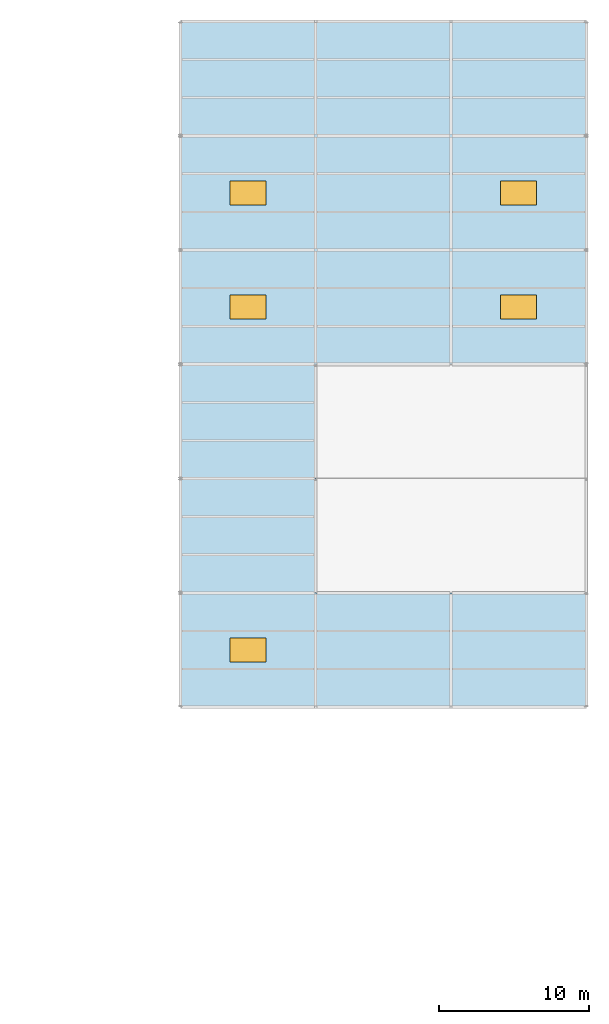
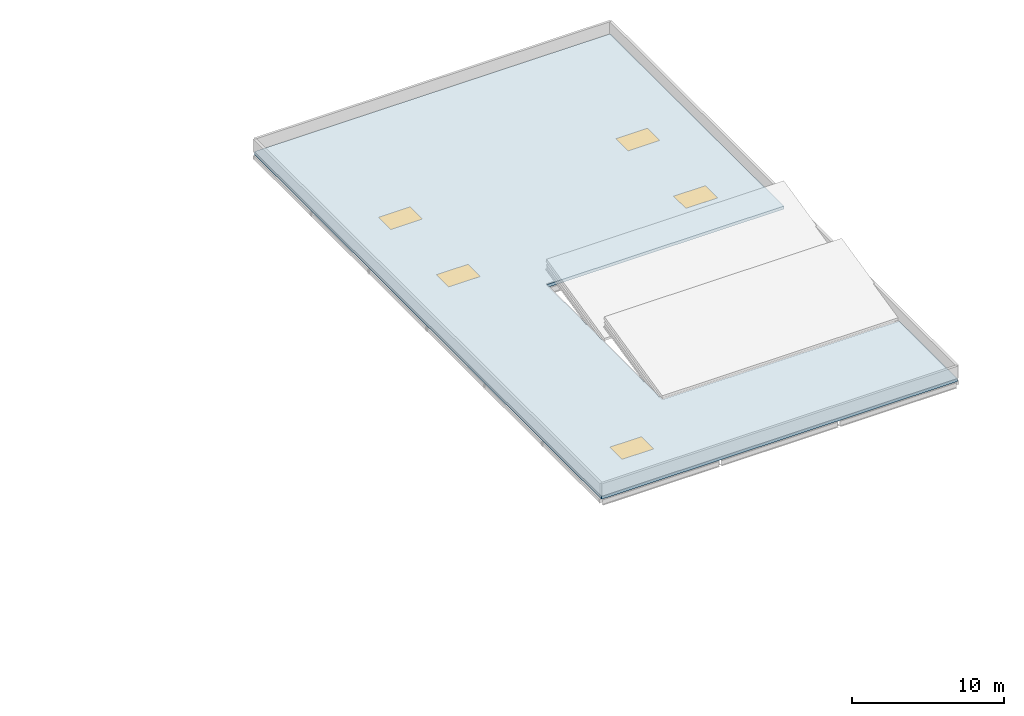
# One storey, part 14 of 24: 5 windows, 1 slab, 5 openings.
"""IFC4 building model written with IfcOpenShell, lengths in metres."""

from ifc_helpers import new_model, si_unit, direction, frame, origin, origin_2d, place, context, subcontext, project, spatial, polyline, rectangle, outline, extrude, material, layer, layer_set, type_object, element, fill, save


model = new_model("IFC4")

# Units and contexts
model_context = context("Model", 3, precision=1e-05, world=origin(), true_north=direction((0.0, 1.0)))
body_context = subcontext(model_context, "Body", "Model", "MODEL_VIEW")
ifc_project = project(units=[si_unit("LENGTHUNIT", "METRE"), si_unit("AREAUNIT", "SQUARE_METRE"), si_unit("VOLUMEUNIT", "CUBIC_METRE"), si_unit("PLANEANGLEUNIT", "RADIAN"), si_unit("MASSUNIT", "GRAM", prefix="KILO")], contexts=[model_context])

# Site, building, storey
site_placement = place(None, origin())
site = spatial("IfcSite", under=ifc_project, at=site_placement, CompositionType="ELEMENT")
building_placement = place(site_placement, origin())
building = spatial("IfcBuilding", under=site, at=building_placement, Name="Caisbarro Railhouse Central Library", CompositionType="ELEMENT")
storey_placement = place(building_placement, frame((0.0, 0.0, 22.320068359375)))
storey = spatial("IfcBuildingStorey", under=building, at=storey_placement, Name="L05", CompositionType="ELEMENT", Elevation=22.320068359375)

# Slab, openings, windows
ifc_material_1 = material(Name="Concrete C35", Category="concrete")
ifc_layer = layer(ifc_material_1, 0.239990234375, Name="Concrete C35")
ifc_layer_set = layer_set([ifc_layer], Name="Concrete C35")
slab_type = type_object("IfcSlabType", Name="SLB-RF24", PredefinedType="ROOF", material=ifc_layer_set)
slab_placement = place(storey_placement, frame((0.0, 0.0, -0.239990234375)))
slab = element("IfcSlab", 1, at=slab_placement, inside=storey, type_object=slab_type, Name="V4 Atrium Wing Perimeter Roof Slab", PredefinedType="ROOF", context=body_context, shape_type="SweptSolid", body=[
    extrude(outline(polyline([(117.0, 68.39990234375), (144.0, 68.39990234375), (144.0, 76.0), (126.0, 76.0), (126.0, 91.199951171875), (144.0, 91.199951171875), (144.0, 114.0), (117.0, 114.0), (117.0, 68.39990234375)])), origin(), (0.0, 0.0, 1.0), 0.239990234375),
])
opening_1_placement = place(slab_placement, frame((121.5, 72.199951171875, -0.010009765625)))
opening_1 = element("IfcOpeningElement", 2, at=opening_1_placement, cuts=slab, Name="Opening SK02", PredefinedType="OPENING", context=body_context, shape_type="SweptSolid", body=[
    extrude(rectangle(XDim=2.39990234375, YDim=1.60009765625, at=origin_2d()), origin(), (0.0, 0.0, 1.0), 0.260009765625),
])
opening_2_placement = place(slab_placement, frame((121.5, 95.0, -0.010009765625)))
opening_2 = element("IfcOpeningElement", 3, at=opening_2_placement, cuts=slab, Name="Opening SK02", PredefinedType="OPENING", context=body_context, shape_type="SweptSolid", body=[
    extrude(rectangle(XDim=2.39990234375, YDim=1.60009765625, at=origin_2d()), origin(), (0.0, 0.0, 1.0), 0.260009765625),
])
opening_3_placement = place(slab_placement, frame((121.5, 102.60009765625, -0.010009765625)))
opening_3 = element("IfcOpeningElement", 4, at=opening_3_placement, cuts=slab, Name="Opening SK02", PredefinedType="OPENING", context=body_context, shape_type="SweptSolid", body=[
    extrude(rectangle(XDim=2.39990234375, YDim=1.60009765625, at=origin_2d()), origin(), (0.0, 0.0, 1.0), 0.260009765625),
])
opening_4_placement = place(slab_placement, frame((139.5, 95.0, -0.010009765625)))
opening_4 = element("IfcOpeningElement", 5, at=opening_4_placement, cuts=slab, Name="Opening SK02", PredefinedType="OPENING", context=body_context, shape_type="SweptSolid", body=[
    extrude(rectangle(XDim=2.39990234375, YDim=1.60009765625, at=origin_2d()), origin(), (0.0, 0.0, 1.0), 0.260009765625),
])
opening_5_placement = place(slab_placement, frame((139.5, 102.60009765625, -0.010009765625)))
opening_5 = element("IfcOpeningElement", 6, at=opening_5_placement, cuts=slab, Name="Opening SK02", PredefinedType="OPENING", context=body_context, shape_type="SweptSolid", body=[
    extrude(rectangle(XDim=2.39990234375, YDim=1.60009765625, at=origin_2d()), origin(), (0.0, 0.0, 1.0), 0.260009765625),
])
ifc_material_2 = material(Name="Laminated acoustic skylight glass", Category="glass")
window_type = type_object("IfcWindowType", Name="WIN-SK02", PartitioningType="SINGLE_PANEL", PredefinedType="SKYLIGHT", material=ifc_material_2)
window_1_placement = place(slab_placement, frame((121.5, 72.199951171875, 0.18994140625)))
window_1 = element("IfcWindow", 7, at=window_1_placement, inside=storey, type_object=window_type, Name="SK02 roof skylight 05", OverallHeight=1.60009765625, OverallWidth=2.39990234375, PartitioningType="SINGLE_PANEL", PredefinedType="SKYLIGHT", context=body_context, shape_type="SweptSolid", body=[
    extrude(rectangle(XDim=2.39990234375, YDim=1.60009765625, at=origin_2d()), origin(), (0.0, 0.0, 1.0), 0.050048828125),
])
fill(opening_1, window_1)
window_2_placement = place(slab_placement, frame((121.5, 95.0, 0.18994140625)))
window_2 = element("IfcWindow", 8, at=window_2_placement, inside=storey, type_object=window_type, Name="SK02 roof skylight 06", OverallHeight=1.60009765625, OverallWidth=2.39990234375, PartitioningType="SINGLE_PANEL", PredefinedType="SKYLIGHT", context=body_context, shape_type="SweptSolid", body=[
    extrude(rectangle(XDim=2.39990234375, YDim=1.60009765625, at=origin_2d()), origin(), (0.0, 0.0, 1.0), 0.050048828125),
])
fill(opening_2, window_2)
window_3_placement = place(slab_placement, frame((121.5, 102.60009765625, 0.18994140625)))
window_3 = element("IfcWindow", 9, at=window_3_placement, inside=storey, type_object=window_type, Name="SK02 roof skylight 07", OverallHeight=1.60009765625, OverallWidth=2.39990234375, PartitioningType="SINGLE_PANEL", PredefinedType="SKYLIGHT", context=body_context, shape_type="SweptSolid", body=[
    extrude(rectangle(XDim=2.39990234375, YDim=1.60009765625, at=origin_2d()), origin(), (0.0, 0.0, 1.0), 0.050048828125),
])
fill(opening_3, window_3)
window_4_placement = place(slab_placement, frame((139.5, 95.0, 0.18994140625)))
window_4 = element("IfcWindow", 10, at=window_4_placement, inside=storey, type_object=window_type, Name="SK02 roof skylight 08", OverallHeight=1.60009765625, OverallWidth=2.39990234375, PartitioningType="SINGLE_PANEL", PredefinedType="SKYLIGHT", context=body_context, shape_type="SweptSolid", body=[
    extrude(rectangle(XDim=2.39990234375, YDim=1.60009765625, at=origin_2d()), origin(), (0.0, 0.0, 1.0), 0.050048828125),
])
fill(opening_4, window_4)
window_5_placement = place(slab_placement, frame((139.5, 102.60009765625, 0.18994140625)))
window_5 = element("IfcWindow", 11, at=window_5_placement, inside=storey, type_object=window_type, Name="SK02 roof skylight 09", OverallHeight=1.60009765625, OverallWidth=2.39990234375, PartitioningType="SINGLE_PANEL", PredefinedType="SKYLIGHT", context=body_context, shape_type="SweptSolid", body=[
    extrude(rectangle(XDim=2.39990234375, YDim=1.60009765625, at=origin_2d()), origin(), (0.0, 0.0, 1.0), 0.050048828125),
])
fill(opening_5, window_5)

save(model, "model.ifc")
